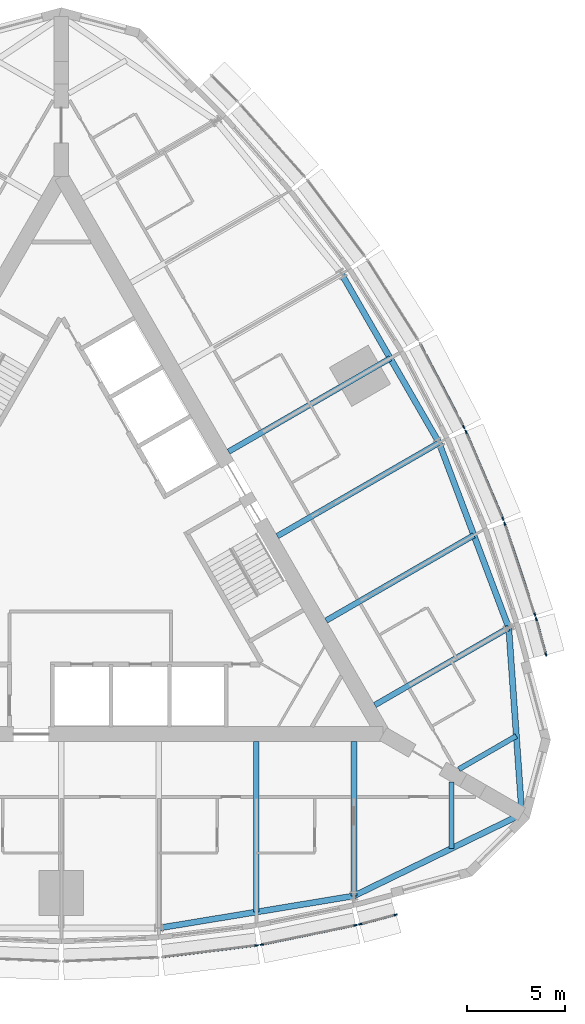
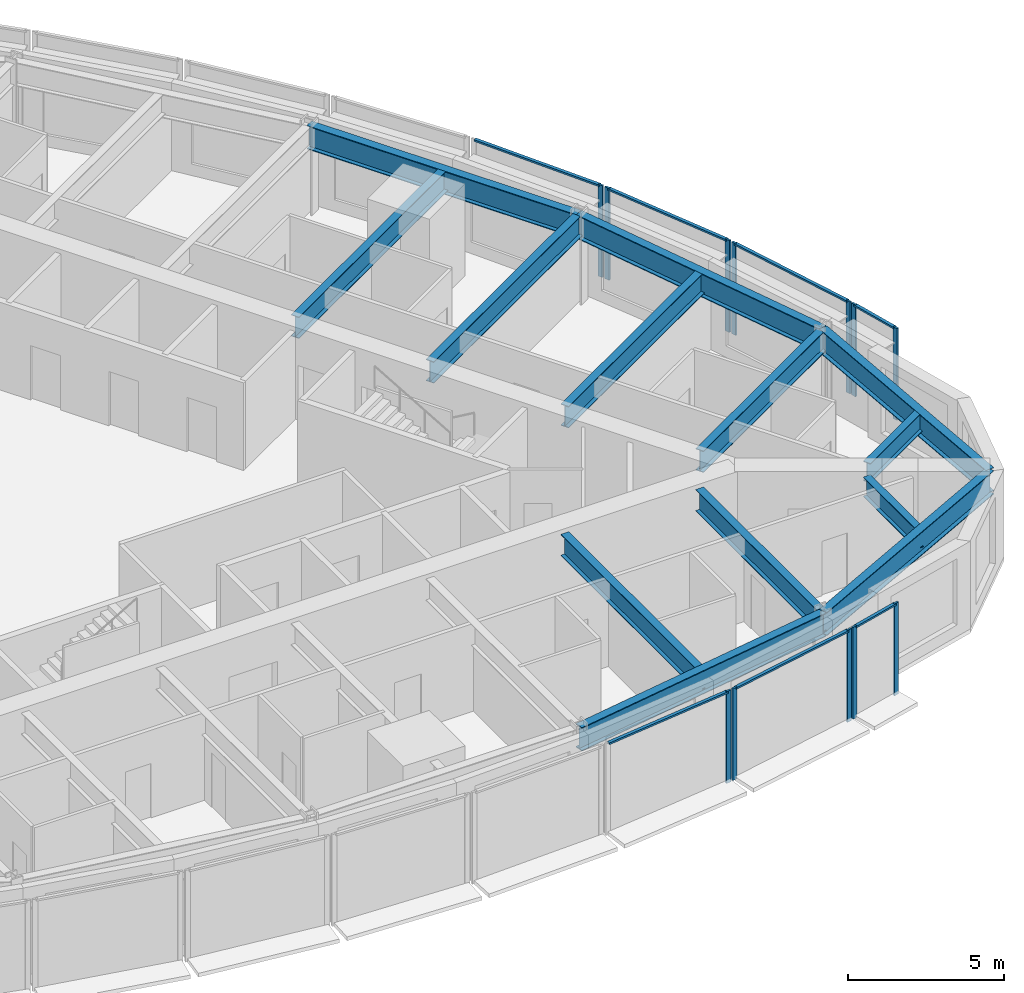
# One storey, part 4 of 15: 19 members, 13 beams, 7 elements without a shape of their own.
"""IFC4 building model written with IfcOpenShell, lengths in metres."""

import ifcopenshell
import ifcopenshell.guid

model = None  # the IFC model being written
_history = None  # IfcOwnerHistory: only IFC2X3 demands one
_inside = {}  # id of a spatial element -> (the spatial element, [elements in it])
_under = {}  # id of a project, library or spatial element -> (it, [spatial elements below it])
_declared = {}  # id of a project -> (the project, [libraries it declares])
_typed = {}  # id of a type object -> (the type object, [elements of that type])
_made_of = {}  # id of a material, layer set ... -> (it, [elements and type objects made of it])


def new_model(schema):
    """Start an empty IFC model of exactly this schema.

    Asked for "IFC4X3", IfcOpenShell would pick the latest addendum, in which some entities
    have other attributes; the version numbers below select the first issue.
    IFC2X3 requires an IfcOwnerHistory on every rooted entity: one is made here for all.
    """
    global model, _history
    if schema == "IFC4X3":
        model = ifcopenshell.file(schema_version=(4, 3, 0, 0))
    else:
        model = ifcopenshell.file(schema=schema)
    _inside.clear()
    _under.clear()
    _declared.clear()
    _typed.clear()
    _made_of.clear()
    _history = None
    if model.schema == "IFC2X3":
        org = make("IfcOrganization", Name="unknown")
        user = make(
            "IfcPersonAndOrganization",
            ThePerson=make("IfcPerson", FamilyName="unknown"),
            TheOrganization=org,
        )
        app = make(
            "IfcApplication",
            ApplicationDeveloper=org,
            Version="unknown",
            ApplicationFullName="unknown",
            ApplicationIdentifier="unknown",
        )
        _history = make(
            "IfcOwnerHistory",
            OwningUser=user,
            OwningApplication=app,
            ChangeAction="ADDED",
            CreationDate=0,
        )
    return model


def make(cls, **values):
    """One entity of the class cls with the attributes given. An attribute that is None is left unset."""
    return model.create_entity(
        cls, **{name: value for name, value in values.items() if value is not None}
    )


def rooted(cls, **values):
    """An entity with a GlobalId (a new one), such as an element, a storey or a relation."""
    return make(cls, GlobalId=ifcopenshell.guid.new(), OwnerHistory=_history, **values)


def si_unit(unit_type, name, prefix=None):
    """IfcSIUnit, for example si_unit("LENGTHUNIT", "METRE", prefix="MILLI")."""
    return make("IfcSIUnit", UnitType=unit_type, Prefix=prefix, Name=name)


def assignment(units):
    """IfcUnitAssignment: the units of a project."""
    return None if units is None else make("IfcUnitAssignment", Units=units)


def point(xyz):
    """IfcCartesianPoint."""
    return None if xyz is None else make("IfcCartesianPoint", Coordinates=xyz)


def direction(xyz):
    """IfcDirection."""
    return None if xyz is None else make("IfcDirection", DirectionRatios=xyz)


def frame(location, z_axis=None, x_axis=None):
    """IfcAxis2Placement3D, a coordinate frame: its origin and axes. An axis left out is left unset."""
    return make(
        "IfcAxis2Placement3D",
        Location=point(location),
        Axis=direction(z_axis),
        RefDirection=direction(x_axis),
    )


def frame_2d(location, x_axis=None):
    """IfcAxis2Placement2D, a coordinate frame in the plane: its origin and x axis."""
    return make(
        "IfcAxis2Placement2D", Location=point(location), RefDirection=direction(x_axis)
    )


def origin():
    """The frame at (0, 0, 0) with its axes left unset."""
    return frame((0.0, 0.0, 0.0))


def origin_2d():
    """The frame at (0, 0) in the plane with its x axis left unset."""
    return frame_2d((0.0, 0.0))


def place(relative_to, where):
    """IfcLocalPlacement: puts the frame where relative to a parent placement (None: the world)."""
    return make(
        "IfcLocalPlacement", PlacementRelTo=relative_to, RelativePlacement=where
    )


def context(
    kind, dimensions, precision=None, world=None, true_north=None, identifier=None
):
    """IfcGeometricRepresentationContext, for example the 3D "Model" context."""
    return make(
        "IfcGeometricRepresentationContext",
        ContextIdentifier=identifier,
        ContextType=kind,
        CoordinateSpaceDimension=dimensions,
        Precision=precision,
        WorldCoordinateSystem=world,
        TrueNorth=true_north,
    )


def subcontext(parent, identifier, kind, view, scale=None):
    """IfcGeometricRepresentationSubContext, for example "Body" below "Model"."""
    return make(
        "IfcGeometricRepresentationSubContext",
        ContextIdentifier=identifier,
        ContextType=kind,
        ParentContext=parent,
        TargetScale=scale,
        TargetView=view,
    )


def project(units=None, contexts=None):
    """IfcProject with its units and contexts."""
    return rooted(
        "IfcProject",
        Name="project",
        RepresentationContexts=contexts,
        UnitsInContext=assignment(units),
    )


def spatial(cls, under=None, at=None, **own):
    """A site, building, storey or space (cls), placed at a placement, below another one or the project."""
    s = rooted(cls, ObjectPlacement=at, **own)
    if under is not None:
        _under.setdefault(under.id(), (under, []))[1].append(s)
    return s


def profile(cls, at=None, kind="AREA", **sizes):
    """A parametric profile (cls). Its sizes go by their IFC names, for example OverallWidth=200.0."""
    return make(cls, ProfileType=kind, Position=at, **sizes)


def rectangle(**sizes):
    """IfcRectangleProfileDef."""
    return profile("IfcRectangleProfileDef", **sizes)


def i_section(**sizes):
    """IfcIShapeProfileDef."""
    return profile("IfcIShapeProfileDef", **sizes)


def extrude(swept, where, along, depth):
    """IfcExtrudedAreaSolid: the profile swept, set in the frame where, extruded along a direction by depth."""
    return make(
        "IfcExtrudedAreaSolid",
        SweptArea=swept,
        Position=where,
        ExtrudedDirection=direction(along),
        Depth=depth,
    )


def shape(context_of_items, identifier, shape_type, items):
    """IfcShapeRepresentation: the items that make up one representation, for example the "Body"."""
    return make(
        "IfcShapeRepresentation",
        ContextOfItems=context_of_items,
        RepresentationIdentifier=identifier,
        RepresentationType=shape_type,
        Items=items,
    )


def material(Name=None, Category=None):
    """IfcMaterial."""
    return make("IfcMaterial", Name=Name, Category=Category)


def material_profile(
    of_material, cross_section, Name=None, Category=None, Priority=None
):
    """IfcMaterialProfile: a cross section and its material."""
    return make(
        "IfcMaterialProfile",
        Name=Name,
        Material=of_material,
        Profile=cross_section,
        Priority=Priority,
        Category=Category,
    )


def profile_set(profiles, Name=None, composite=None):
    """IfcMaterialProfileSet."""
    return make(
        "IfcMaterialProfileSet",
        Name=Name,
        MaterialProfiles=profiles,
        CompositeProfile=composite,
    )


def made_of(thing, what):
    """Note that an element or type object is made of a material, layer set ...; save() writes the relation."""
    if what is not None:
        _made_of.setdefault(what.id(), (what, []))[1].append(thing)
    return thing


def type_object(cls, material=None, **own):
    """A type object (cls), such as IfcWallType, which elements share."""
    return made_of(rooted(cls, **own), material)


def element(
    cls,
    number,
    at=None,
    inside=None,
    cuts=None,
    type_object=None,
    material=None,
    context=None,
    identifier="Body",
    shape_type=None,
    held_by="IfcProductDefinitionShape",
    body=None,
    shapes=None,
    **own,
):
    """One element of the class cls, such as IfcWall. Its Tag is "e" and its number.

    at: its placement. inside: the storey or other place that contains it. cuts: it is an
    opening in that element (IfcRelVoidsElement). A single representation is given by context,
    identifier, shape_type and body (its items); several are given by shapes. held_by: the class
    of the entity that holds the representations. save() writes the other relations.
    """
    e = rooted(cls, Tag="e%d" % number, ObjectPlacement=at, **own)
    if body is not None:
        shapes = [shape(context, identifier, shape_type, body)]
    if shapes is not None:
        e.Representation = make(held_by, Representations=shapes)
    if inside is not None:
        _inside.setdefault(inside.id(), (inside, []))[1].append(e)
    if cuts is not None:
        rooted(
            "IfcRelVoidsElement", RelatingBuildingElement=cuts, RelatedOpeningElement=e
        )
    if type_object is not None:
        _typed.setdefault(type_object.id(), (type_object, []))[1].append(e)
    return made_of(e, material)


def aggregate(whole, parts):
    """IfcRelAggregates: a whole, such as a stair, and the parts it consists of."""
    return rooted("IfcRelAggregates", RelatingObject=whole, RelatedObjects=parts)


def save(model, path):
    """Write the relations noted so far, then the file.

    IfcRelAggregates (storeys below a building ...), IfcRelContainedInSpatialStructure (elements
    in a storey), IfcRelDefinesByType, IfcRelAssociatesMaterial and IfcRelDeclares: one each for
    every whole, place, type object, material and project.
    """
    for whole, parts in _under.values():
        aggregate(whole, parts)
    for where, things in _inside.values():
        rooted(
            "IfcRelContainedInSpatialStructure",
            RelatedElements=things,
            RelatingStructure=where,
        )
    for kind, things in _typed.values():
        rooted("IfcRelDefinesByType", RelatedObjects=things, RelatingType=kind)
    for what, things in _made_of.values():
        rooted("IfcRelAssociatesMaterial", RelatedObjects=things, RelatingMaterial=what)
    for by, libraries in _declared.values():
        rooted("IfcRelDeclares", RelatingContext=by, RelatedDefinitions=libraries)
    model.write(path)


model = new_model("IFC4")

# Units and contexts
model_context = context("Model", 3, precision=1e-05, world=origin(), true_north=direction((0.0, 1.0)))
body_context = subcontext(model_context, "Body", "Model", "MODEL_VIEW")
ifc_project = project(units=[si_unit("LENGTHUNIT", "METRE"), si_unit("AREAUNIT", "SQUARE_METRE"), si_unit("VOLUMEUNIT", "CUBIC_METRE"), si_unit("PLANEANGLEUNIT", "RADIAN"), si_unit("MASSUNIT", "GRAM", prefix="KILO")], contexts=[model_context])

# Site, building, storey
site_placement = place(None, origin())
site = spatial("IfcSite", under=ifc_project, at=site_placement, CompositionType="ELEMENT")
building_placement = place(site_placement, origin())
building = spatial("IfcBuilding", under=site, at=building_placement, Name="Trikona Tower", CompositionType="ELEMENT")
storey_placement = place(building_placement, frame((0.0, 0.0, 226.10009765625)))
storey = spatial("IfcBuildingStorey", under=building, at=storey_placement, Name="L60", CompositionType="ELEMENT", Elevation=226.10009765625)

# Curtain wall, member
ifc_material_1 = material(Name="Aluminium curtain wall system", Category="aluminium")
curtain_wall_type = type_object("IfcCurtainWallType", Name="Curtain wall DS3", PredefinedType="NOTDEFINED", material=ifc_material_1)
curtain_wall_1_placement = place(storey_placement, origin())
curtain_wall_1 = element("IfcCurtainWall", 1, at=curtain_wall_1_placement, inside=storey, type_object=curtain_wall_type, Name="Curtain wall DS3 L60", PredefinedType="NOTDEFINED")
ifc_material_2 = material(Name="Aluminium mullion, pale anodised", Category="aluminium")
ifc_material_profile_1 = material_profile(ifc_material_2, rectangle(XDim=0.070068359375, YDim=0.179931640625, at=origin_2d()), Name="MUL-DS3")
ifc_profile_set_1 = profile_set([ifc_material_profile_1], Name="Aluminium mullion, pale anodised")
member_type_1 = type_object("IfcMemberType", Name="Mullion DS3 70x180", PredefinedType="MULLION", material=ifc_profile_set_1)
member_1_placement = place(storey_placement, frame((10.01611328125, -20.359130859375, 0.0), z_axis=(0.0, 0.0, 1.0), x_axis=(-0.122610640458, 0.992454850785, 0.0)))
member_1 = element("IfcMember", 2, at=member_1_placement, type_object=member_type_1, Name="CW-DS3 mullion 2", PredefinedType="MULLION", context=body_context, shape_type="SweptSolid", body=[
    extrude(rectangle(XDim=0.070068359375, YDim=0.179931640625, at=origin_2d()), origin(), (0.0, 0.0, 1.0), 3.599853515625),
])

# Curtain wall, members
curtain_wall_2_placement = place(storey_placement, origin())
curtain_wall_2 = element("IfcCurtainWall", 3, at=curtain_wall_2_placement, inside=storey, type_object=curtain_wall_type, Name="Curtain wall DS3 L60", PredefinedType="NOTDEFINED")
member_2_placement = place(storey_placement, frame((10.274658203125, -20.316650390625, 0.0), z_axis=(0.0, 0.0, 1.0), x_axis=(-0.201652920672, 0.979457043256, 0.0)))
member_2 = element("IfcMember", 4, at=member_2_placement, type_object=member_type_1, Name="CW-DS3 mullion 1", PredefinedType="MULLION", context=body_context, shape_type="SweptSolid", body=[
    extrude(rectangle(XDim=0.070068359375, YDim=0.179931640625, at=origin_2d()), origin(), (0.0, 0.0, 1.0), 3.599853515625),
])
member_3_placement = place(storey_placement, frame((15.08837890625, -19.325439453125, 0.0), z_axis=(0.0, 0.0, 1.0), x_axis=(-0.201652920672, 0.979457043256, 0.0)))
member_3 = element("IfcMember", 5, at=member_3_placement, type_object=member_type_1, Name="CW-DS3 mullion 2", PredefinedType="MULLION", context=body_context, shape_type="SweptSolid", body=[
    extrude(rectangle(XDim=0.070068359375, YDim=0.179931640625, at=origin_2d()), origin(), (0.0, 0.0, 1.0), 3.599853515625),
])

curtain_wall_3_placement = place(storey_placement, origin())
curtain_wall_3 = element("IfcCurtainWall", 6, at=curtain_wall_3_placement, inside=storey, type_object=curtain_wall_type, Name="Curtain wall DS3 L60", PredefinedType="NOTDEFINED")
member_4_placement = place(storey_placement, frame((15.321044921875, -19.27099609375, 0.0), z_axis=(0.0, 0.0, 1.0), x_axis=(-0.25478635579, 0.966997369647, 0.0)))
member_4 = element("IfcMember", 7, at=member_4_placement, type_object=member_type_1, Name="CW-DS3 mullion 1", PredefinedType="MULLION", context=body_context, shape_type="SweptSolid", body=[
    extrude(rectangle(XDim=0.070068359375, YDim=0.179931640625, at=origin_2d()), origin(), (0.0, 0.0, 1.0), 3.599853515625),
])
member_5_placement = place(storey_placement, frame((17.137451171875, -18.79248046875, 0.0), z_axis=(0.0, 0.0, 1.0), x_axis=(-0.25478635579, 0.966997369647, 0.0)))
member_5 = element("IfcMember", 8, at=member_5_placement, type_object=member_type_1, Name="CW-DS3 mullion 2", PredefinedType="MULLION", context=body_context, shape_type="SweptSolid", body=[
    extrude(rectangle(XDim=0.070068359375, YDim=0.179931640625, at=origin_2d()), origin(), (0.0, 0.0, 1.0), 3.599853515625),
])

curtain_wall_4_placement = place(storey_placement, origin())
curtain_wall_4 = element("IfcCurtainWall", 9, at=curtain_wall_4_placement, inside=storey, type_object=curtain_wall_type, Name="Curtain wall DS3 L60", PredefinedType="NOTDEFINED")
member_6_placement = place(storey_placement, frame((24.843505859375, -5.4453125, 0.0), z_axis=(0.0, 0.0, 1.0), x_axis=(-0.964838403494, -0.262843784676, 0.0)))
member_6 = element("IfcMember", 10, at=member_6_placement, type_object=member_type_1, Name="CW-DS3 mullion 1", PredefinedType="MULLION", context=body_context, shape_type="SweptSolid", body=[
    extrude(rectangle(XDim=0.070068359375, YDim=0.179931640625, at=origin_2d()), origin(), (0.0, 0.0, 1.0), 3.599853515625),
])
member_7_placement = place(storey_placement, frame((24.349609375, -3.633056640625, 0.0), z_axis=(0.0, 0.0, 1.0), x_axis=(-0.964838403494, -0.262843784676, 0.0)))
member_7 = element("IfcMember", 11, at=member_7_placement, type_object=member_type_1, Name="CW-DS3 mullion 2", PredefinedType="MULLION", context=body_context, shape_type="SweptSolid", body=[
    extrude(rectangle(XDim=0.070068359375, YDim=0.179931640625, at=origin_2d()), origin(), (0.0, 0.0, 1.0), 3.599853515625),
])

curtain_wall_5_placement = place(storey_placement, origin())
curtain_wall_5 = element("IfcCurtainWall", 12, at=curtain_wall_5_placement, inside=storey, type_object=curtain_wall_type, Name="Curtain wall DS3 L60", PredefinedType="NOTDEFINED")
member_8_placement = place(storey_placement, frame((24.280517578125, -3.404296875, 0.0), z_axis=(0.0, 0.0, 1.0), x_axis=(-0.949065766708, -0.315078038687, 0.0)))
member_8 = element("IfcMember", 13, at=member_8_placement, type_object=member_type_1, Name="CW-DS3 mullion 1", PredefinedType="MULLION", context=body_context, shape_type="SweptSolid", body=[
    extrude(rectangle(XDim=0.070068359375, YDim=0.179931640625, at=origin_2d()), origin(), (0.0, 0.0, 1.0), 3.599853515625),
])
member_9_placement = place(storey_placement, frame((22.73193359375, 1.26025390625, 0.0), z_axis=(0.0, 0.0, 1.0), x_axis=(-0.949065766708, -0.315078038687, 0.0)))
member_9 = element("IfcMember", 14, at=member_9_placement, type_object=member_type_1, Name="CW-DS3 mullion 2", PredefinedType="MULLION", context=body_context, shape_type="SweptSolid", body=[
    extrude(rectangle(XDim=0.070068359375, YDim=0.179931640625, at=origin_2d()), origin(), (0.0, 0.0, 1.0), 3.599853515625),
])

curtain_wall_6_placement = place(storey_placement, origin())
curtain_wall_6 = element("IfcCurtainWall", 15, at=curtain_wall_6_placement, inside=storey, type_object=curtain_wall_type, Name="Curtain wall DS3 L60", PredefinedType="NOTDEFINED")
member_10_placement = place(storey_placement, frame((22.6396484375, 1.50537109375, 0.0), z_axis=(0.0, 0.0, 1.0), x_axis=(-0.920792322808, -0.390053199266, 0.0)))
member_10 = element("IfcMember", 16, at=member_10_placement, type_object=member_type_1, Name="CW-DS3 mullion 1", PredefinedType="MULLION", context=body_context, shape_type="SweptSolid", body=[
    extrude(rectangle(XDim=0.070068359375, YDim=0.179931640625, at=origin_2d()), origin(), (0.0, 0.0, 1.0), 3.599853515625),
])
member_11_placement = place(storey_placement, frame((20.74853515625, 5.969482421875, 0.0), z_axis=(0.0, 0.0, 1.0), x_axis=(-0.920792322808, -0.390053199266, 0.0)))
member_11 = element("IfcMember", 17, at=member_11_placement, type_object=member_type_1, Name="CW-DS3 mullion 2", PredefinedType="MULLION", context=body_context, shape_type="SweptSolid", body=[
    extrude(rectangle(XDim=0.070068359375, YDim=0.179931640625, at=origin_2d()), origin(), (0.0, 0.0, 1.0), 3.599853515625),
])

# Curtain wall, member
curtain_wall_7_placement = place(storey_placement, origin())
curtain_wall_7 = element("IfcCurtainWall", 18, at=curtain_wall_7_placement, inside=storey, type_object=curtain_wall_type, Name="Curtain wall DS3 L60", PredefinedType="NOTDEFINED")
member_12_placement = place(storey_placement, frame((20.635986328125, 6.20751953125, 0.0), z_axis=(0.0, 0.0, 1.0), x_axis=(-0.885862390527, -0.463948084434, 0.0)))
member_12 = element("IfcMember", 19, at=member_12_placement, type_object=member_type_1, Name="CW-DS3 mullion 1", PredefinedType="MULLION", context=body_context, shape_type="SweptSolid", body=[
    extrude(rectangle(XDim=0.070068359375, YDim=0.179931640625, at=origin_2d()), origin(), (0.0, 0.0, 1.0), 3.599853515625),
])

# Beams
ifc_material_3 = material(Name="Steel ASTM A992 Grade 50", Category="steel")
ifc_material_profile_2 = material_profile(ifc_material_3, i_section(OverallWidth=0.2666015625, OverallDepth=0.76953125, WebThickness=0.015625, FlangeThickness=0.025390625, at=origin_2d()), Name="W30X132")
ifc_profile_set_2 = profile_set([ifc_material_profile_2], Name="Steel ASTM A992 Grade 50")
beam_type_1 = type_object("IfcBeamType", Name="Steel beam W30x132 (wedge)", PredefinedType="BEAM", material=ifc_profile_set_2)
beam_1_placement = place(storey_placement, frame((20.0, -11.97998046875, 3.050048828125), z_axis=(0.0, -1.0, 0.0), x_axis=(1.0, 0.0, 0.0)))
element("IfcBeam", 20, at=beam_1_placement, inside=storey, type_object=beam_type_1, Name="Floor beam L61 F1 u20", PredefinedType="BEAM", context=body_context, shape_type="SweptSolid", body=[
    extrude(i_section(OverallWidth=0.2666015625, OverallDepth=0.76953125, WebThickness=0.015625, FlangeThickness=0.025390625, at=origin_2d()), origin(), (0.0, 0.0, 1.0), 3.40966796875),
])
beam_2_placement = place(storey_placement, frame((20.375, -11.33056640625, 3.050048828125), z_axis=(0.865995995653, 0.500050932918, 0.0), x_axis=(-0.500050932918, 0.865995995653, 0.0)))
element("IfcBeam", 21, at=beam_2_placement, inside=storey, type_object=beam_type_1, Name="Floor beam L61 F2 u-20", PredefinedType="BEAM", context=body_context, shape_type="SweptSolid", body=[
    extrude(i_section(OverallWidth=0.2666015625, OverallDepth=0.76953125, WebThickness=0.015625, FlangeThickness=0.025390625, at=origin_2d()), origin(), (0.0, 0.0, 1.0), 3.409912109375),
])
ifc_material_4 = material(Name="Steel ASTM A992 Grade 50", Category="steel")
ifc_material_profile_3 = material_profile(ifc_material_4, i_section(OverallWidth=0.2919921875, OverallDepth=0.845703125, WebThickness=0.015380859375, FlangeThickness=0.0244140625, at=origin_2d()), Name="W33X141")
ifc_profile_set_3 = profile_set([ifc_material_profile_3], Name="Steel ASTM A992 Grade 50")
beam_type_2 = type_object("IfcBeamType", Name="Steel beam W33x141 (radial typ)", PredefinedType="BEAM", material=ifc_profile_set_3)
beam_3_placement = place(storey_placement, frame((10.0, -9.9013671875, 3.011962890625), z_axis=(0.0, -1.0, 0.0), x_axis=(1.0, 0.0, 0.0)))
element("IfcBeam", 22, at=beam_3_placement, inside=storey, type_object=beam_type_2, Name="Floor beam L61 F1 u10", PredefinedType="BEAM", context=body_context, shape_type="SweptSolid", body=[
    extrude(i_section(OverallWidth=0.2919921875, OverallDepth=0.845703125, WebThickness=0.015380859375, FlangeThickness=0.0244140625, at=origin_2d()), origin(), (0.0, 0.0, 1.0), 8.7470703125),
])
for number, where, z_axis, x_axis, name in (
    (23, (15.0, -9.9013671875, 3.011962890625), (0.0, -1.0, 0.0), (1.0, 0.0, 0.0), "Floor beam L61 F1 u15"),
    (24, (16.07470703125, -8.039794921875, 3.011962890625), (0.866019853763, 0.500009612796, 0.0), (-0.500009612796, 0.866019853763, 0.0), "Floor beam L61 F2 u-15"),
):
    element("IfcBeam", number, at=place(storey_placement, frame(where, z_axis=z_axis, x_axis=x_axis)), inside=storey, type_object=beam_type_2, Name=name, PredefinedType="BEAM", context=body_context, shape_type="SweptSolid", body=[
        extrude(i_section(OverallWidth=0.2919921875, OverallDepth=0.845703125, WebThickness=0.015380859375, FlangeThickness=0.0244140625, at=origin_2d()), origin(), (0.0, 0.0, 1.0), 7.923583984375),
    ])
beam_4_placement = place(storey_placement, frame((13.57470703125, -3.709716796875, 3.011962890625), z_axis=(0.866013609749, 0.500020427312, 0.0), x_axis=(-0.500020427312, 0.866013609749, 0.0)))
element("IfcBeam", 25, at=beam_4_placement, inside=storey, type_object=beam_type_2, Name="Floor beam L61 F2 u-10", PredefinedType="BEAM", context=body_context, shape_type="SweptSolid", body=[
    extrude(i_section(OverallWidth=0.2919921875, OverallDepth=0.845703125, WebThickness=0.015380859375, FlangeThickness=0.0244140625, at=origin_2d()), origin(), (0.0, 0.0, 1.0), 8.747314453125),
])
for number, where, z_axis, x_axis, name in (
    (26, (11.07470703125, 0.62060546875, 3.011962890625), (0.866025863714, 0.499999203377, 0.0), (-0.499999203377, 0.866025863714, 0.0), "Floor beam L61 F2 u-5"),
    (27, (8.57470703125, 4.95068359375, 3.011962890625), (0.866025863714, 0.499999203377, 0.0), (-0.499999203377, 0.866025863714, 0.0), "Floor beam L61 F2 u0"),
):
    element("IfcBeam", number, at=place(storey_placement, frame(where, z_axis=z_axis, x_axis=x_axis)), inside=storey, type_object=beam_type_2, Name=name, PredefinedType="BEAM", context=body_context, shape_type="SweptSolid", body=[
        extrude(i_section(OverallWidth=0.2919921875, OverallDepth=0.845703125, WebThickness=0.015380859375, FlangeThickness=0.0244140625, at=origin_2d()), origin(), (0.0, 0.0, 1.0), 9.57080078125),
    ])
ifc_material_5 = material(Name="Steel ASTM A992 Grade 50", Category="steel")
ifc_material_profile_4 = material_profile(ifc_material_5, i_section(OverallWidth=0.307373046875, OverallDepth=0.922119140625, WebThickness=0.018310546875, FlangeThickness=0.030029296875, at=origin_2d()), Name="W36X182")
ifc_profile_set_4 = profile_set([ifc_material_profile_4], Name="Steel ASTM A992 Grade 50")
beam_type_3 = type_object("IfcBeamType", Name="Steel beam W36x182 (spandrel mid)", PredefinedType="SPANDREL", material=ifc_profile_set_4)
beam_5_placement = place(storey_placement, frame((5.0, -19.471923828125, 2.973876953125), z_axis=(0.986707228918, 0.162507982575, 0.0), x_axis=(-0.162507982575, 0.986707228918, 0.0)))
element("IfcBeam", 28, at=beam_5_placement, inside=storey, type_object=beam_type_3, Name="Spandrel beam L61 F1-4", PredefinedType="SPANDREL", context=body_context, shape_type="SweptSolid", body=[
    extrude(i_section(OverallWidth=0.307373046875, OverallDepth=0.922119140625, WebThickness=0.018310546875, FlangeThickness=0.030029296875, at=origin_2d()), origin(), (0.0, 0.0, 1.0), 10.134765625),
])
beam_6_placement = place(storey_placement, frame((15.0, -17.824951171875, 2.973876953125), z_axis=(0.899038503257, 0.437869580652, 0.0), x_axis=(-0.437869580652, 0.899038503257, 0.0)))
element("IfcBeam", 29, at=beam_6_placement, inside=storey, type_object=beam_type_3, Name="Spandrel beam L61 F1-5", PredefinedType="SPANDREL", context=body_context, shape_type="SweptSolid", body=[
    extrude(i_section(OverallWidth=0.307373046875, OverallDepth=0.922119140625, WebThickness=0.018310546875, FlangeThickness=0.030029296875, at=origin_2d()), origin(), (0.0, 0.0, 1.0), 9.577392578125),
])
beam_7_placement = place(storey_placement, frame((23.6103515625, -13.63134765625, 2.973876953125), z_axis=(-0.07033215835, 0.997523627541, 0.0), x_axis=(-0.997523627541, -0.07033215835, 0.0)))
element("IfcBeam", 30, at=beam_7_placement, inside=storey, type_object=beam_type_3, Name="Spandrel beam L61 F2-1", PredefinedType="SPANDREL", context=body_context, shape_type="SweptSolid", body=[
    extrude(i_section(OverallWidth=0.307373046875, OverallDepth=0.922119140625, WebThickness=0.018310546875, FlangeThickness=0.030029296875, at=origin_2d()), origin(), (0.0, 0.0, 1.0), 9.5771484375),
])
beam_8_placement = place(storey_placement, frame((22.936767578125, -4.077880859375, 2.973876953125), z_axis=(-0.352596088442, 0.935775613283, 0.0), x_axis=(-0.935775613283, -0.352596088442, 0.0)))
element("IfcBeam", 31, at=beam_8_placement, inside=storey, type_object=beam_type_3, Name="Spandrel beam L61 F2-2", PredefinedType="SPANDREL", context=body_context, shape_type="SweptSolid", body=[
    extrude(i_section(OverallWidth=0.307373046875, OverallDepth=0.922119140625, WebThickness=0.018310546875, FlangeThickness=0.030029296875, at=origin_2d()), origin(), (0.0, 0.0, 1.0), 10.134765625),
])
beam_9_placement = place(storey_placement, frame((19.36328125, 5.406005859375, 2.973876953125), z_axis=(-0.500004234368, 0.866022959057, 0.0), x_axis=(-0.866022959057, -0.500004234368, 0.0)))
element("IfcBeam", 32, at=beam_9_placement, inside=storey, type_object=beam_type_3, Name="Spandrel beam L61 F2-3", PredefinedType="SPANDREL", context=body_context, shape_type="SweptSolid", body=[
    extrude(i_section(OverallWidth=0.307373046875, OverallDepth=0.922119140625, WebThickness=0.018310546875, FlangeThickness=0.030029296875, at=origin_2d()), origin(), (0.0, 0.0, 1.0), 10.0),
])

# Member
ifc_material_6 = material(Name="Aluminium transom, pale anodised", Category="aluminium")
ifc_material_profile_5 = material_profile(ifc_material_6, rectangle(XDim=0.1201171875, YDim=0.070068359375, at=origin_2d()), Name="TRN-DS3")
ifc_profile_set_5 = profile_set([ifc_material_profile_5], Name="Aluminium transom, pale anodised")
member_type_2 = type_object("IfcMemberType", Name="Transom DS3 70x120", PredefinedType="USERDEFINED", material=ifc_profile_set_5)
member_13_placement = place(storey_placement, frame((5.2392578125, -20.94921875, 3.56494140625), z_axis=(0.992459172161, 0.122575656611, 0.0), x_axis=(-0.122575656611, 0.992459172161, 0.0)))
member_13 = element("IfcMember", 33, at=member_13_placement, type_object=member_type_2, Name="CW-DS3 transom 1.1", ObjectType="TRANSOM", PredefinedType="USERDEFINED", context=body_context, shape_type="SweptSolid", body=[
    extrude(rectangle(XDim=0.1201171875, YDim=0.070068359375, at=origin_2d()), origin(), (0.0, 0.0, 1.0), 4.7783203125),
])

aggregate(curtain_wall_1, [member_1, member_13])

member_14_placement = place(storey_placement, frame((10.308837890625, -20.3095703125, 3.56494140625), z_axis=(0.979454408611, 0.201665717099, 0.0), x_axis=(-0.201665717099, 0.979454408611, 0.0)))
member_14 = element("IfcMember", 34, at=member_14_placement, type_object=member_type_2, Name="CW-DS3 transom 1.1", ObjectType="TRANSOM", PredefinedType="USERDEFINED", context=body_context, shape_type="SweptSolid", body=[
    extrude(rectangle(XDim=0.1201171875, YDim=0.070068359375, at=origin_2d()), origin(), (0.0, 0.0, 1.0), 4.844970703125),
])

aggregate(curtain_wall_2, [member_2, member_3, member_14])

member_15_placement = place(storey_placement, frame((15.35498046875, -19.261962890625, 3.56494140625), z_axis=(0.966999290683, 0.254779064719, 0.0), x_axis=(-0.254779064719, 0.966999290683, 0.0)))
member_15 = element("IfcMember", 35, at=member_15_placement, type_object=member_type_2, Name="CW-DS3 transom 1.1", ObjectType="TRANSOM", PredefinedType="USERDEFINED", context=body_context, shape_type="SweptSolid", body=[
    extrude(rectangle(XDim=0.1201171875, YDim=0.070068359375, at=origin_2d()), origin(), (0.0, 0.0, 1.0), 1.80810546875),
])

aggregate(curtain_wall_3, [member_4, member_5, member_15])

member_16_placement = place(storey_placement, frame((24.834228515625, -5.41162109375, 3.56494140625), z_axis=(-0.262843243155, 0.964838551017, 0.0), x_axis=(-0.964838551017, -0.262843243155, 0.0)))
member_16 = element("IfcMember", 36, at=member_16_placement, type_object=member_type_2, Name="CW-DS3 transom 1.1", ObjectType="TRANSOM", PredefinedType="USERDEFINED", context=body_context, shape_type="SweptSolid", body=[
    extrude(rectangle(XDim=0.1201171875, YDim=0.070068359375, at=origin_2d()), origin(), (0.0, 0.0, 1.0), 1.808349609375),
])

aggregate(curtain_wall_4, [member_6, member_7, member_16])

member_17_placement = place(storey_placement, frame((24.26953125, -3.370849609375, 3.56494140625), z_axis=(-0.315063426034, 0.949070617802, 0.0), x_axis=(-0.949070617802, -0.315063426034, 0.0)))
member_17 = element("IfcMember", 37, at=member_17_placement, type_object=member_type_2, Name="CW-DS3 transom 1.1", ObjectType="TRANSOM", PredefinedType="USERDEFINED", context=body_context, shape_type="SweptSolid", body=[
    extrude(rectangle(XDim=0.1201171875, YDim=0.070068359375, at=origin_2d()), origin(), (0.0, 0.0, 1.0), 4.8447265625),
])

aggregate(curtain_wall_5, [member_8, member_9, member_17])

member_18_placement = place(storey_placement, frame((22.6259765625, 1.53759765625, 3.56494140625), z_axis=(-0.390061662668, 0.920788737614, 0.0), x_axis=(-0.920788737614, -0.390061662668, 0.0)))
member_18 = element("IfcMember", 38, at=member_18_placement, type_object=member_type_2, Name="CW-DS3 transom 1.1", ObjectType="TRANSOM", PredefinedType="USERDEFINED", context=body_context, shape_type="SweptSolid", body=[
    extrude(rectangle(XDim=0.1201171875, YDim=0.070068359375, at=origin_2d()), origin(), (0.0, 0.0, 1.0), 4.778076171875),
])

aggregate(curtain_wall_6, [member_10, member_11, member_18])

member_19_placement = place(storey_placement, frame((20.61962890625, 6.238525390625, 3.56494140625), z_axis=(-0.463910848027, 0.885881891158, 0.0), x_axis=(-0.885881891158, -0.463910848027, 0.0)))
member_19 = element("IfcMember", 39, at=member_19_placement, type_object=member_type_2, Name="CW-DS3 transom 1.1", ObjectType="TRANSOM", PredefinedType="USERDEFINED", context=body_context, shape_type="SweptSolid", body=[
    extrude(rectangle(XDim=0.1201171875, YDim=0.070068359375, at=origin_2d()), origin(), (0.0, 0.0, 1.0), 4.744384765625),
])

aggregate(curtain_wall_7, [member_12, member_19])

save(model, "model.ifc")
